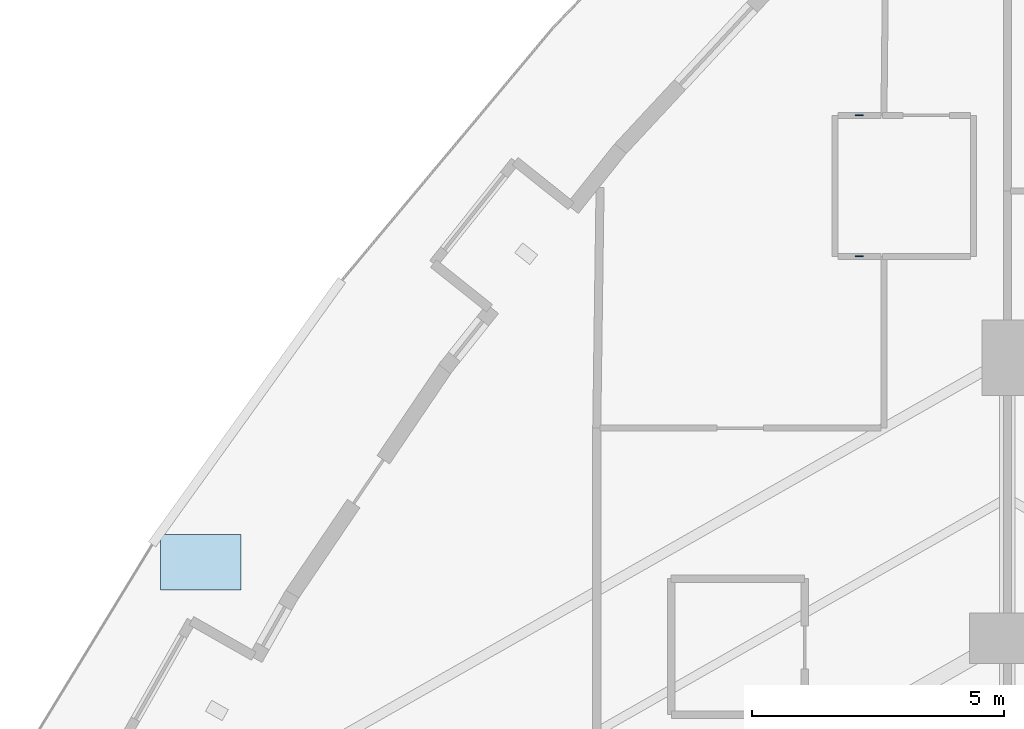
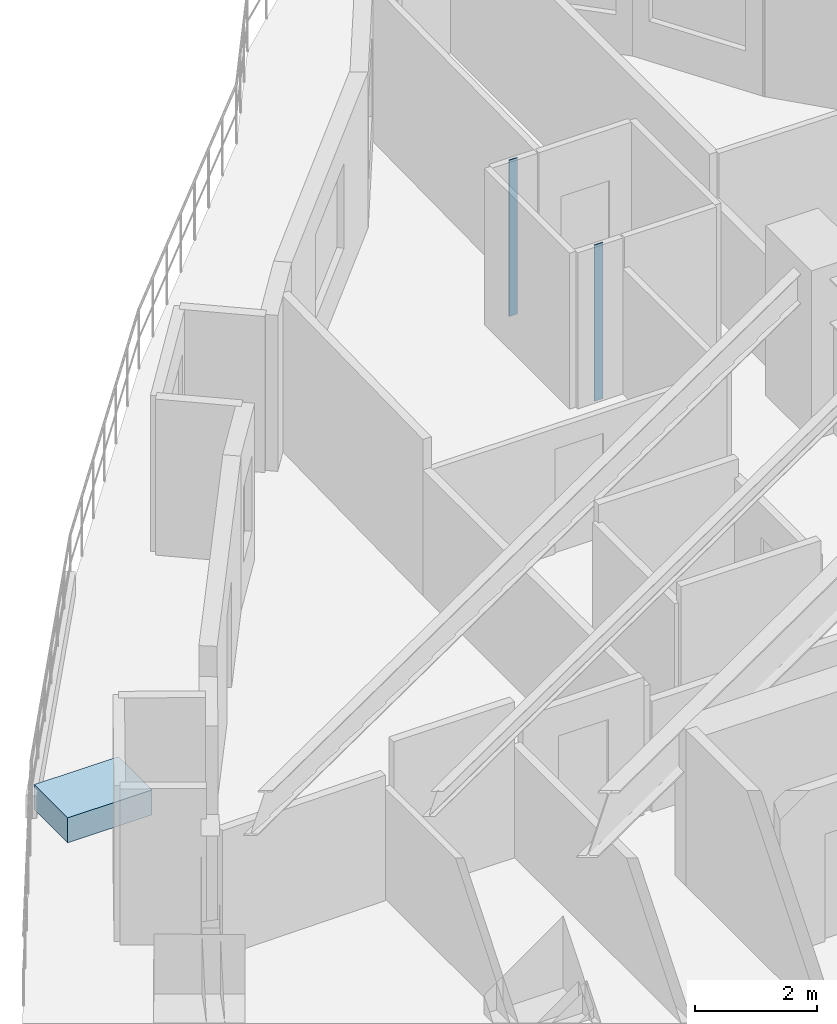
# One storey, part 7 of 17: 2 plates, 1 slab.
"""IFC4 building model written with IfcOpenShell, lengths in metres."""

from ifc_helpers import new_model, si_unit, direction, frame, origin, origin_2d, place, context, subcontext, project, spatial, polyline, rectangle, outline, extrude, material, layer, layer_set, type_object, element, save


model = new_model("IFC4")

# Units and contexts
model_context = context("Model", 3, precision=1e-05, world=origin(), true_north=direction((0.0, 1.0)))
body_context = subcontext(model_context, "Body", "Model", "MODEL_VIEW")
ifc_project = project(units=[si_unit("LENGTHUNIT", "METRE"), si_unit("AREAUNIT", "SQUARE_METRE"), si_unit("VOLUMEUNIT", "CUBIC_METRE"), si_unit("PLANEANGLEUNIT", "RADIAN"), si_unit("MASSUNIT", "GRAM", prefix="KILO")], contexts=[model_context])

# Site, building, storey
site_placement = place(None, origin())
site = spatial("IfcSite", under=ifc_project, at=site_placement, CompositionType="ELEMENT")
building_placement = place(site_placement, origin())
building = spatial("IfcBuilding", under=site, at=building_placement, Name="Miruveldt Soraemaru", CompositionType="ELEMENT")
storey_placement = place(building_placement, frame((0.0, 0.0, 29.199951171875)))
storey = spatial("IfcBuildingStorey", under=building, at=storey_placement, Name="L07", CompositionType="ELEMENT", Elevation=29.199951171875)

# Plates
ifc_material_1 = material(Name="Anodised aluminium EN AW-6063 T6", Category="aluminium")
ifc_layer_1 = layer(ifc_material_1, 0.02001953125, Name="Anodised aluminium EN AW-6063 T6", Category="aluminium")
ifc_layer_set_1 = layer_set([ifc_layer_1], Name="Anodised aluminium EN AW-6063 T6")
plate_type = type_object("IfcPlateType", Name="PLT-PART-TRIM", PredefinedType="SHEET", material=ifc_layer_set_1)
for number, where, z_axis, x_axis, name in (
    (1, (41.06298828125, 67.97998046875, 0.0), (0.0, 0.0, 1.0), (-1.0, 0.0, 0.0), "L07 Partition Step Corner Trim Plate 028"),
    (2, (41.06298828125, 65.179931640625, 0.0), (0.0, 0.0, 1.0), (1.0, 0.0, 0.0), "L07 Partition Step Corner Trim Plate 030"),
):
    element("IfcPlate", number, at=place(storey_placement, frame(where, z_axis=z_axis, x_axis=x_axis)), inside=storey, type_object=plate_type, Name=name, PredefinedType="SHEET", context=body_context, shape_type="SweptSolid", body=[
        extrude(rectangle(XDim=0.159912109375, YDim=0.02001953125, at=origin_2d()), origin(), (0.0, 0.0, 1.0), 3.125),
    ])

# Slab
ifc_material_2 = material(Name="Precast concrete C45/55 (45 MPa)", Category="concrete")
ifc_layer_2 = layer(ifc_material_2, 0.179931640625, Name="Precast concrete C45/55 (45 MPa)", Category="concrete")
ifc_layer_set_2 = layer_set([ifc_layer_2], Name="Precast concrete C45/55 (45 MPa)")
slab_type = type_object("IfcSlabType", Name="SLAB-PLTR-180", PredefinedType="USERDEFINED", material=ifc_layer_set_2)
slab_placement = place(storey_placement, origin())
element("IfcSlab", 3, at=slab_placement, inside=storey, type_object=slab_type, Name="L07 Terrace Planter Bed PLANTER 1", ObjectType="PLANTER", PredefinedType="USERDEFINED", context=body_context, shape_type="SweptSolid", body=[
    extrude(outline(polyline([(27.18310546875, 58.556884765625), (28.782958984375, 58.556884765625), (28.782958984375, 59.656982421875), (27.18310546875, 59.656982421875), (27.18310546875, 58.556884765625)])), origin(), (0.0, 0.0, 1.0), 0.5),
])

save(model, "model.ifc")
